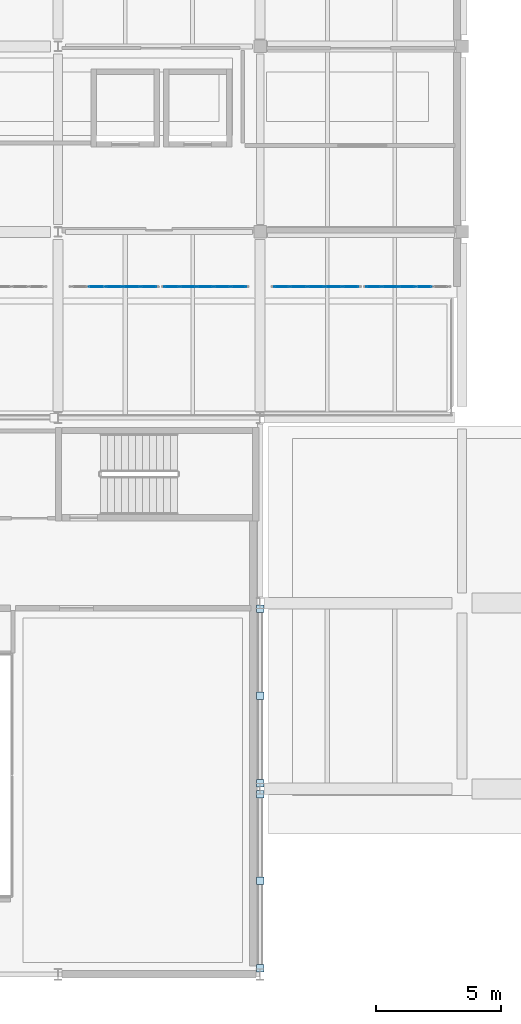
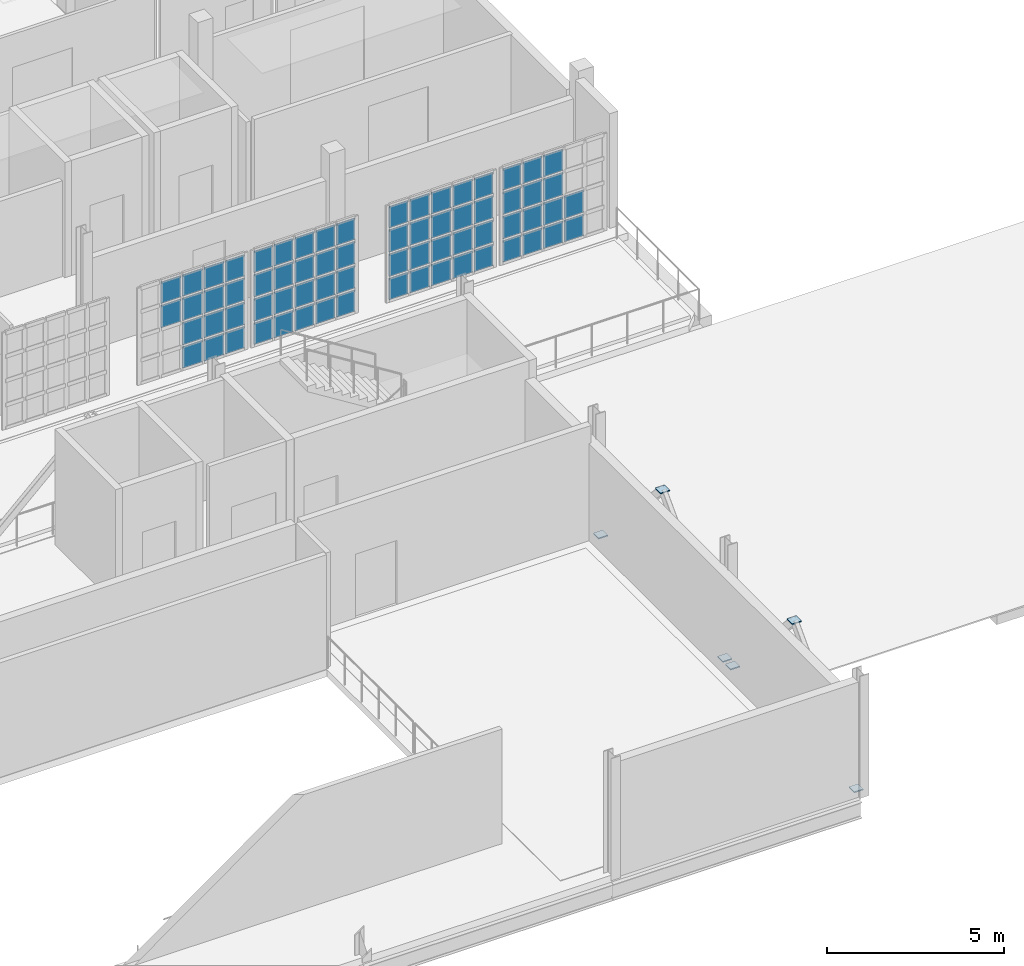
# One storey, part 17 of 25: 74 plates, 4 elements without a shape of their own.
"""IFC4 building model written with IfcOpenShell, lengths in metres."""

from ifc_helpers import new_model, si_unit, direction, frame, origin, origin_2d, place, context, subcontext, project, spatial, rectangle, extrude, material, layer, layer_set, type_object, element, aggregate, save


model = new_model("IFC4")

# Units and contexts
model_context = context("Model", 3, precision=1e-05, world=origin(), true_north=direction((0.0, 1.0)))
body_context = subcontext(model_context, "Body", "Model", "MODEL_VIEW")
ifc_project = project(units=[si_unit("LENGTHUNIT", "METRE"), si_unit("AREAUNIT", "SQUARE_METRE"), si_unit("VOLUMEUNIT", "CUBIC_METRE"), si_unit("PLANEANGLEUNIT", "RADIAN"), si_unit("MASSUNIT", "GRAM", prefix="KILO")], contexts=[model_context])

# Site, building, storey
site_placement = place(None, origin())
site = spatial("IfcSite", under=ifc_project, at=site_placement, CompositionType="ELEMENT")
building_placement = place(site_placement, origin())
building = spatial("IfcBuilding", under=site, at=building_placement, Name="Kaelora Sail Theatre", CompositionType="ELEMENT")
storey_placement = place(building_placement, frame((0.0, 0.0, 19.199951171875)))
storey = spatial("IfcBuildingStorey", under=building, at=storey_placement, Name="L04", CompositionType="ELEMENT", Elevation=19.199951171875)

# Curtain wall, plates
ifc_material_1 = material(Name="Anodised aluminium and solar-control low-E IGU", Category="aluminium")
curtain_wall_type = type_object("IfcCurtainWallType", Name="ARC-CW-CW-CLR", PredefinedType="NOTDEFINED", material=ifc_material_1)
curtain_wall_1_placement = place(storey_placement, origin())
curtain_wall_1 = element("IfcCurtainWall", 1, at=curtain_wall_1_placement, inside=storey, type_object=curtain_wall_type, Name="Glazed Foyer/Conservatory Curtain Wall NW2-S-L04-04", PredefinedType="NOTDEFINED")
ifc_material_2 = material(Name="Solar-control laminated low-E glass", Category="glass")
ifc_layer_1 = layer(ifc_material_2, 0.031982421875)
ifc_layer_set_1 = layer_set([ifc_layer_1], Name="Solar-control laminated low-E glass")
plate_type_1 = type_object("IfcPlateType", Name="ARC-CW-PNL", PredefinedType="CURTAIN_PANEL", material=ifc_layer_set_1)
plate_1_placement = place(storey_placement, frame((51.64990234375, 88.590087890625, 1.70849609375), z_axis=(0.0, 0.0, 1.0), x_axis=(1.0, 0.0, 0.0)))
plate_1 = element("IfcPlate", 2, at=plate_1_placement, type_object=plate_type_1, Name="CW-CLR panel 2.3", PredefinedType="CURTAIN_PANEL", context=body_context, shape_type="SweptSolid", body=[
    extrude(rectangle(XDim=0.639892578125, YDim=0.031982421875, at=origin_2d()), origin(), (0.0, 0.0, 1.0), 0.766845703125),
])
plate_2_placement = place(storey_placement, frame((51.64990234375, 88.590087890625, 2.54541015625), z_axis=(0.0, 0.0, 1.0), x_axis=(1.0, 0.0, 0.0)))
plate_2 = element("IfcPlate", 3, at=plate_2_placement, type_object=plate_type_1, Name="CW-CLR panel 2.4", PredefinedType="CURTAIN_PANEL", context=body_context, shape_type="SweptSolid", body=[
    extrude(rectangle(XDim=0.639892578125, YDim=0.031982421875, at=origin_2d()), origin(), (0.0, 0.0, 1.0), 0.731689453125),
])
plate_3_placement = place(storey_placement, frame((52.35009765625, 88.590087890625, 0.06982421875), z_axis=(0.0, 0.0, 1.0), x_axis=(1.0, 0.0, 0.0)))
plate_3 = element("IfcPlate", 4, at=plate_3_placement, type_object=plate_type_1, Name="CW-CLR panel 3.1", PredefinedType="CURTAIN_PANEL", context=body_context, shape_type="SweptSolid", body=[
    extrude(rectangle(XDim=0.639892578125, YDim=0.031982421875, at=origin_2d()), origin(), (0.0, 0.0, 1.0), 0.731689453125),
])
plate_4_placement = place(storey_placement, frame((52.35009765625, 88.590087890625, 0.87158203125), z_axis=(0.0, 0.0, 1.0), x_axis=(1.0, 0.0, 0.0)))
plate_4 = element("IfcPlate", 5, at=plate_4_placement, type_object=plate_type_1, Name="CW-CLR panel 3.2", PredefinedType="CURTAIN_PANEL", context=body_context, shape_type="SweptSolid", body=[
    extrude(rectangle(XDim=0.639892578125, YDim=0.031982421875, at=origin_2d()), origin(), (0.0, 0.0, 1.0), 0.766845703125),
])
plate_5_placement = place(storey_placement, frame((52.35009765625, 88.590087890625, 1.70849609375), z_axis=(0.0, 0.0, 1.0), x_axis=(1.0, 0.0, 0.0)))
plate_5 = element("IfcPlate", 6, at=plate_5_placement, type_object=plate_type_1, Name="CW-CLR panel 3.3", PredefinedType="CURTAIN_PANEL", context=body_context, shape_type="SweptSolid", body=[
    extrude(rectangle(XDim=0.639892578125, YDim=0.031982421875, at=origin_2d()), origin(), (0.0, 0.0, 1.0), 0.766845703125),
])
plate_6_placement = place(storey_placement, frame((52.35009765625, 88.590087890625, 2.54541015625), z_axis=(0.0, 0.0, 1.0), x_axis=(1.0, 0.0, 0.0)))
plate_6 = element("IfcPlate", 7, at=plate_6_placement, type_object=plate_type_1, Name="CW-CLR panel 3.4", PredefinedType="CURTAIN_PANEL", context=body_context, shape_type="SweptSolid", body=[
    extrude(rectangle(XDim=0.639892578125, YDim=0.031982421875, at=origin_2d()), origin(), (0.0, 0.0, 1.0), 0.731689453125),
])
plate_7_placement = place(storey_placement, frame((53.050048828125, 88.590087890625, 0.06982421875), z_axis=(0.0, 0.0, 1.0), x_axis=(1.0, 0.0, 0.0)))
plate_7 = element("IfcPlate", 8, at=plate_7_placement, type_object=plate_type_1, Name="CW-CLR panel 4.1", PredefinedType="CURTAIN_PANEL", context=body_context, shape_type="SweptSolid", body=[
    extrude(rectangle(XDim=0.639892578125, YDim=0.031982421875, at=origin_2d()), origin(), (0.0, 0.0, 1.0), 0.731689453125),
])
plate_8_placement = place(storey_placement, frame((53.050048828125, 88.590087890625, 0.87158203125), z_axis=(0.0, 0.0, 1.0), x_axis=(1.0, 0.0, 0.0)))
plate_8 = element("IfcPlate", 9, at=plate_8_placement, type_object=plate_type_1, Name="CW-CLR panel 4.2", PredefinedType="CURTAIN_PANEL", context=body_context, shape_type="SweptSolid", body=[
    extrude(rectangle(XDim=0.639892578125, YDim=0.031982421875, at=origin_2d()), origin(), (0.0, 0.0, 1.0), 0.766845703125),
])
plate_9_placement = place(storey_placement, frame((53.050048828125, 88.590087890625, 1.70849609375), z_axis=(0.0, 0.0, 1.0), x_axis=(1.0, 0.0, 0.0)))
plate_9 = element("IfcPlate", 10, at=plate_9_placement, type_object=plate_type_1, Name="CW-CLR panel 4.3", PredefinedType="CURTAIN_PANEL", context=body_context, shape_type="SweptSolid", body=[
    extrude(rectangle(XDim=0.639892578125, YDim=0.031982421875, at=origin_2d()), origin(), (0.0, 0.0, 1.0), 0.766845703125),
])
plate_10_placement = place(storey_placement, frame((53.050048828125, 88.590087890625, 2.54541015625), z_axis=(0.0, 0.0, 1.0), x_axis=(1.0, 0.0, 0.0)))
plate_10 = element("IfcPlate", 11, at=plate_10_placement, type_object=plate_type_1, Name="CW-CLR panel 4.4", PredefinedType="CURTAIN_PANEL", context=body_context, shape_type="SweptSolid", body=[
    extrude(rectangle(XDim=0.639892578125, YDim=0.031982421875, at=origin_2d()), origin(), (0.0, 0.0, 1.0), 0.731689453125),
])
plate_11_placement = place(storey_placement, frame((53.735107421875, 88.590087890625, 0.06982421875), z_axis=(0.0, 0.0, 1.0), x_axis=(1.0, 0.0, 0.0)))
plate_11 = element("IfcPlate", 12, at=plate_11_placement, type_object=plate_type_1, Name="CW-CLR panel 5.1", PredefinedType="CURTAIN_PANEL", context=body_context, shape_type="SweptSolid", body=[
    extrude(rectangle(XDim=0.610107421875, YDim=0.031982421875, at=origin_2d()), origin(), (0.0, 0.0, 1.0), 0.731689453125),
])
plate_12_placement = place(storey_placement, frame((53.735107421875, 88.590087890625, 0.87158203125), z_axis=(0.0, 0.0, 1.0), x_axis=(1.0, 0.0, 0.0)))
plate_12 = element("IfcPlate", 13, at=plate_12_placement, type_object=plate_type_1, Name="CW-CLR panel 5.2", PredefinedType="CURTAIN_PANEL", context=body_context, shape_type="SweptSolid", body=[
    extrude(rectangle(XDim=0.610107421875, YDim=0.031982421875, at=origin_2d()), origin(), (0.0, 0.0, 1.0), 0.766845703125),
])
plate_13_placement = place(storey_placement, frame((53.735107421875, 88.590087890625, 1.70849609375), z_axis=(0.0, 0.0, 1.0), x_axis=(1.0, 0.0, 0.0)))
plate_13 = element("IfcPlate", 14, at=plate_13_placement, type_object=plate_type_1, Name="CW-CLR panel 5.3", PredefinedType="CURTAIN_PANEL", context=body_context, shape_type="SweptSolid", body=[
    extrude(rectangle(XDim=0.610107421875, YDim=0.031982421875, at=origin_2d()), origin(), (0.0, 0.0, 1.0), 0.766845703125),
])
plate_14_placement = place(storey_placement, frame((53.735107421875, 88.590087890625, 2.54541015625), z_axis=(0.0, 0.0, 1.0), x_axis=(1.0, 0.0, 0.0)))
plate_14 = element("IfcPlate", 15, at=plate_14_placement, type_object=plate_type_1, Name="CW-CLR panel 5.4", PredefinedType="CURTAIN_PANEL", context=body_context, shape_type="SweptSolid", body=[
    extrude(rectangle(XDim=0.610107421875, YDim=0.031982421875, at=origin_2d()), origin(), (0.0, 0.0, 1.0), 0.731689453125),
])
aggregate(curtain_wall_1, [plate_1, plate_2, plate_3, plate_4, plate_5, plate_6, plate_7, plate_8, plate_9, plate_10, plate_11, plate_12, plate_13, plate_14])

curtain_wall_2_placement = place(storey_placement, origin())
curtain_wall_2 = element("IfcCurtainWall", 16, at=curtain_wall_2_placement, inside=storey, type_object=curtain_wall_type, Name="Glazed Foyer/Conservatory Curtain Wall NW2-S-L04-05", PredefinedType="NOTDEFINED")
plate_15_placement = place(storey_placement, frame((54.655029296875, 88.590087890625, 0.06982421875), z_axis=(0.0, 0.0, 1.0), x_axis=(1.0, 0.0, 0.0)))
plate_15 = element("IfcPlate", 17, at=plate_15_placement, type_object=plate_type_1, Name="CW-CLR panel 1.1", PredefinedType="CURTAIN_PANEL", context=body_context, shape_type="SweptSolid", body=[
    extrude(rectangle(XDim=0.590087890625, YDim=0.031982421875, at=origin_2d()), origin(), (0.0, 0.0, 1.0), 0.731689453125),
])
plate_16_placement = place(storey_placement, frame((54.655029296875, 88.590087890625, 0.87158203125), z_axis=(0.0, 0.0, 1.0), x_axis=(1.0, 0.0, 0.0)))
plate_16 = element("IfcPlate", 18, at=plate_16_placement, type_object=plate_type_1, Name="CW-CLR panel 1.2", PredefinedType="CURTAIN_PANEL", context=body_context, shape_type="SweptSolid", body=[
    extrude(rectangle(XDim=0.590087890625, YDim=0.031982421875, at=origin_2d()), origin(), (0.0, 0.0, 1.0), 0.766845703125),
])
plate_17_placement = place(storey_placement, frame((54.655029296875, 88.590087890625, 1.70849609375), z_axis=(0.0, 0.0, 1.0), x_axis=(1.0, 0.0, 0.0)))
plate_17 = element("IfcPlate", 19, at=plate_17_placement, type_object=plate_type_1, Name="CW-CLR panel 1.3", PredefinedType="CURTAIN_PANEL", context=body_context, shape_type="SweptSolid", body=[
    extrude(rectangle(XDim=0.590087890625, YDim=0.031982421875, at=origin_2d()), origin(), (0.0, 0.0, 1.0), 0.766845703125),
])
plate_18_placement = place(storey_placement, frame((54.655029296875, 88.590087890625, 2.54541015625), z_axis=(0.0, 0.0, 1.0), x_axis=(1.0, 0.0, 0.0)))
plate_18 = element("IfcPlate", 20, at=plate_18_placement, type_object=plate_type_1, Name="CW-CLR panel 1.4", PredefinedType="CURTAIN_PANEL", context=body_context, shape_type="SweptSolid", body=[
    extrude(rectangle(XDim=0.590087890625, YDim=0.031982421875, at=origin_2d()), origin(), (0.0, 0.0, 1.0), 0.731689453125),
])
plate_19_placement = place(storey_placement, frame((55.320068359375, 88.590087890625, 0.06982421875), z_axis=(0.0, 0.0, 1.0), x_axis=(1.0, 0.0, 0.0)))
plate_19 = element("IfcPlate", 21, at=plate_19_placement, type_object=plate_type_1, Name="CW-CLR panel 2.1", PredefinedType="CURTAIN_PANEL", context=body_context, shape_type="SweptSolid", body=[
    extrude(rectangle(XDim=0.6201171875, YDim=0.031982421875, at=origin_2d()), origin(), (0.0, 0.0, 1.0), 0.731689453125),
])
plate_20_placement = place(storey_placement, frame((55.320068359375, 88.590087890625, 0.87158203125), z_axis=(0.0, 0.0, 1.0), x_axis=(1.0, 0.0, 0.0)))
plate_20 = element("IfcPlate", 22, at=plate_20_placement, type_object=plate_type_1, Name="CW-CLR panel 2.2", PredefinedType="CURTAIN_PANEL", context=body_context, shape_type="SweptSolid", body=[
    extrude(rectangle(XDim=0.6201171875, YDim=0.031982421875, at=origin_2d()), origin(), (0.0, 0.0, 1.0), 0.766845703125),
])
plate_21_placement = place(storey_placement, frame((55.320068359375, 88.590087890625, 1.70849609375), z_axis=(0.0, 0.0, 1.0), x_axis=(1.0, 0.0, 0.0)))
plate_21 = element("IfcPlate", 23, at=plate_21_placement, type_object=plate_type_1, Name="CW-CLR panel 2.3", PredefinedType="CURTAIN_PANEL", context=body_context, shape_type="SweptSolid", body=[
    extrude(rectangle(XDim=0.6201171875, YDim=0.031982421875, at=origin_2d()), origin(), (0.0, 0.0, 1.0), 0.766845703125),
])
plate_22_placement = place(storey_placement, frame((55.320068359375, 88.590087890625, 2.54541015625), z_axis=(0.0, 0.0, 1.0), x_axis=(1.0, 0.0, 0.0)))
plate_22 = element("IfcPlate", 24, at=plate_22_placement, type_object=plate_type_1, Name="CW-CLR panel 2.4", PredefinedType="CURTAIN_PANEL", context=body_context, shape_type="SweptSolid", body=[
    extrude(rectangle(XDim=0.6201171875, YDim=0.031982421875, at=origin_2d()), origin(), (0.0, 0.0, 1.0), 0.731689453125),
])
plate_23_placement = place(storey_placement, frame((56.0, 88.590087890625, 0.06982421875), z_axis=(0.0, 0.0, 1.0), x_axis=(1.0, 0.0, 0.0)))
plate_23 = element("IfcPlate", 25, at=plate_23_placement, type_object=plate_type_1, Name="CW-CLR panel 3.1", PredefinedType="CURTAIN_PANEL", context=body_context, shape_type="SweptSolid", body=[
    extrude(rectangle(XDim=0.6201171875, YDim=0.031982421875, at=origin_2d()), origin(), (0.0, 0.0, 1.0), 0.731689453125),
])
plate_24_placement = place(storey_placement, frame((56.0, 88.590087890625, 0.87158203125), z_axis=(0.0, 0.0, 1.0), x_axis=(1.0, 0.0, 0.0)))
plate_24 = element("IfcPlate", 26, at=plate_24_placement, type_object=plate_type_1, Name="CW-CLR panel 3.2", PredefinedType="CURTAIN_PANEL", context=body_context, shape_type="SweptSolid", body=[
    extrude(rectangle(XDim=0.6201171875, YDim=0.031982421875, at=origin_2d()), origin(), (0.0, 0.0, 1.0), 0.766845703125),
])
plate_25_placement = place(storey_placement, frame((56.0, 88.590087890625, 1.70849609375), z_axis=(0.0, 0.0, 1.0), x_axis=(1.0, 0.0, 0.0)))
plate_25 = element("IfcPlate", 27, at=plate_25_placement, type_object=plate_type_1, Name="CW-CLR panel 3.3", PredefinedType="CURTAIN_PANEL", context=body_context, shape_type="SweptSolid", body=[
    extrude(rectangle(XDim=0.6201171875, YDim=0.031982421875, at=origin_2d()), origin(), (0.0, 0.0, 1.0), 0.766845703125),
])
plate_26_placement = place(storey_placement, frame((56.0, 88.590087890625, 2.54541015625), z_axis=(0.0, 0.0, 1.0), x_axis=(1.0, 0.0, 0.0)))
plate_26 = element("IfcPlate", 28, at=plate_26_placement, type_object=plate_type_1, Name="CW-CLR panel 3.4", PredefinedType="CURTAIN_PANEL", context=body_context, shape_type="SweptSolid", body=[
    extrude(rectangle(XDim=0.6201171875, YDim=0.031982421875, at=origin_2d()), origin(), (0.0, 0.0, 1.0), 0.731689453125),
])
plate_27_placement = place(storey_placement, frame((56.679931640625, 88.590087890625, 0.06982421875), z_axis=(0.0, 0.0, 1.0), x_axis=(1.0, 0.0, 0.0)))
plate_27 = element("IfcPlate", 29, at=plate_27_placement, type_object=plate_type_1, Name="CW-CLR panel 4.1", PredefinedType="CURTAIN_PANEL", context=body_context, shape_type="SweptSolid", body=[
    extrude(rectangle(XDim=0.6201171875, YDim=0.031982421875, at=origin_2d()), origin(), (0.0, 0.0, 1.0), 0.731689453125),
])
plate_28_placement = place(storey_placement, frame((56.679931640625, 88.590087890625, 0.87158203125), z_axis=(0.0, 0.0, 1.0), x_axis=(1.0, 0.0, 0.0)))
plate_28 = element("IfcPlate", 30, at=plate_28_placement, type_object=plate_type_1, Name="CW-CLR panel 4.2", PredefinedType="CURTAIN_PANEL", context=body_context, shape_type="SweptSolid", body=[
    extrude(rectangle(XDim=0.6201171875, YDim=0.031982421875, at=origin_2d()), origin(), (0.0, 0.0, 1.0), 0.766845703125),
])
plate_29_placement = place(storey_placement, frame((56.679931640625, 88.590087890625, 1.70849609375), z_axis=(0.0, 0.0, 1.0), x_axis=(1.0, 0.0, 0.0)))
plate_29 = element("IfcPlate", 31, at=plate_29_placement, type_object=plate_type_1, Name="CW-CLR panel 4.3", PredefinedType="CURTAIN_PANEL", context=body_context, shape_type="SweptSolid", body=[
    extrude(rectangle(XDim=0.6201171875, YDim=0.031982421875, at=origin_2d()), origin(), (0.0, 0.0, 1.0), 0.766845703125),
])
plate_30_placement = place(storey_placement, frame((56.679931640625, 88.590087890625, 2.54541015625), z_axis=(0.0, 0.0, 1.0), x_axis=(1.0, 0.0, 0.0)))
plate_30 = element("IfcPlate", 32, at=plate_30_placement, type_object=plate_type_1, Name="CW-CLR panel 4.4", PredefinedType="CURTAIN_PANEL", context=body_context, shape_type="SweptSolid", body=[
    extrude(rectangle(XDim=0.6201171875, YDim=0.031982421875, at=origin_2d()), origin(), (0.0, 0.0, 1.0), 0.731689453125),
])
plate_31_placement = place(storey_placement, frame((57.344970703125, 88.590087890625, 0.06982421875), z_axis=(0.0, 0.0, 1.0), x_axis=(1.0, 0.0, 0.0)))
plate_31 = element("IfcPlate", 33, at=plate_31_placement, type_object=plate_type_1, Name="CW-CLR panel 5.1", PredefinedType="CURTAIN_PANEL", context=body_context, shape_type="SweptSolid", body=[
    extrude(rectangle(XDim=0.590087890625, YDim=0.031982421875, at=origin_2d()), origin(), (0.0, 0.0, 1.0), 0.731689453125),
])
plate_32_placement = place(storey_placement, frame((57.344970703125, 88.590087890625, 0.87158203125), z_axis=(0.0, 0.0, 1.0), x_axis=(1.0, 0.0, 0.0)))
plate_32 = element("IfcPlate", 34, at=plate_32_placement, type_object=plate_type_1, Name="CW-CLR panel 5.2", PredefinedType="CURTAIN_PANEL", context=body_context, shape_type="SweptSolid", body=[
    extrude(rectangle(XDim=0.590087890625, YDim=0.031982421875, at=origin_2d()), origin(), (0.0, 0.0, 1.0), 0.766845703125),
])
plate_33_placement = place(storey_placement, frame((57.344970703125, 88.590087890625, 1.70849609375), z_axis=(0.0, 0.0, 1.0), x_axis=(1.0, 0.0, 0.0)))
plate_33 = element("IfcPlate", 35, at=plate_33_placement, type_object=plate_type_1, Name="CW-CLR panel 5.3", PredefinedType="CURTAIN_PANEL", context=body_context, shape_type="SweptSolid", body=[
    extrude(rectangle(XDim=0.590087890625, YDim=0.031982421875, at=origin_2d()), origin(), (0.0, 0.0, 1.0), 0.766845703125),
])
plate_34_placement = place(storey_placement, frame((57.344970703125, 88.590087890625, 2.54541015625), z_axis=(0.0, 0.0, 1.0), x_axis=(1.0, 0.0, 0.0)))
plate_34 = element("IfcPlate", 36, at=plate_34_placement, type_object=plate_type_1, Name="CW-CLR panel 5.4", PredefinedType="CURTAIN_PANEL", context=body_context, shape_type="SweptSolid", body=[
    extrude(rectangle(XDim=0.590087890625, YDim=0.031982421875, at=origin_2d()), origin(), (0.0, 0.0, 1.0), 0.731689453125),
])
aggregate(curtain_wall_2, [plate_15, plate_16, plate_17, plate_18, plate_19, plate_20, plate_21, plate_22, plate_23, plate_24, plate_25, plate_26, plate_27, plate_28, plate_29, plate_30, plate_31, plate_32, plate_33, plate_34])

curtain_wall_3_placement = place(storey_placement, origin())
curtain_wall_3 = element("IfcCurtainWall", 37, at=curtain_wall_3_placement, inside=storey, type_object=curtain_wall_type, Name="Glazed Foyer/Conservatory Curtain Wall NW2-S-L04-06", PredefinedType="NOTDEFINED")
plate_35_placement = place(storey_placement, frame((59.06494140625, 88.590087890625, 0.06982421875), z_axis=(0.0, 0.0, 1.0), x_axis=(1.0, 0.0, 0.0)))
plate_35 = element("IfcPlate", 38, at=plate_35_placement, type_object=plate_type_1, Name="CW-CLR panel 1.1", PredefinedType="CURTAIN_PANEL", context=body_context, shape_type="SweptSolid", body=[
    extrude(rectangle(XDim=0.610107421875, YDim=0.031982421875, at=origin_2d()), origin(), (0.0, 0.0, 1.0), 0.731689453125),
])
plate_36_placement = place(storey_placement, frame((59.06494140625, 88.590087890625, 0.87158203125), z_axis=(0.0, 0.0, 1.0), x_axis=(1.0, 0.0, 0.0)))
plate_36 = element("IfcPlate", 39, at=plate_36_placement, type_object=plate_type_1, Name="CW-CLR panel 1.2", PredefinedType="CURTAIN_PANEL", context=body_context, shape_type="SweptSolid", body=[
    extrude(rectangle(XDim=0.610107421875, YDim=0.031982421875, at=origin_2d()), origin(), (0.0, 0.0, 1.0), 0.766845703125),
])
plate_37_placement = place(storey_placement, frame((59.06494140625, 88.590087890625, 1.70849609375), z_axis=(0.0, 0.0, 1.0), x_axis=(1.0, 0.0, 0.0)))
plate_37 = element("IfcPlate", 40, at=plate_37_placement, type_object=plate_type_1, Name="CW-CLR panel 1.3", PredefinedType="CURTAIN_PANEL", context=body_context, shape_type="SweptSolid", body=[
    extrude(rectangle(XDim=0.610107421875, YDim=0.031982421875, at=origin_2d()), origin(), (0.0, 0.0, 1.0), 0.766845703125),
])
plate_38_placement = place(storey_placement, frame((59.06494140625, 88.590087890625, 2.54541015625), z_axis=(0.0, 0.0, 1.0), x_axis=(1.0, 0.0, 0.0)))
plate_38 = element("IfcPlate", 41, at=plate_38_placement, type_object=plate_type_1, Name="CW-CLR panel 1.4", PredefinedType="CURTAIN_PANEL", context=body_context, shape_type="SweptSolid", body=[
    extrude(rectangle(XDim=0.610107421875, YDim=0.031982421875, at=origin_2d()), origin(), (0.0, 0.0, 1.0), 0.731689453125),
])
plate_39_placement = place(storey_placement, frame((59.75, 88.590087890625, 0.06982421875), z_axis=(0.0, 0.0, 1.0), x_axis=(1.0, 0.0, 0.0)))
plate_39 = element("IfcPlate", 42, at=plate_39_placement, type_object=plate_type_1, Name="CW-CLR panel 2.1", PredefinedType="CURTAIN_PANEL", context=body_context, shape_type="SweptSolid", body=[
    extrude(rectangle(XDim=0.639892578125, YDim=0.031982421875, at=origin_2d()), origin(), (0.0, 0.0, 1.0), 0.731689453125),
])
plate_40_placement = place(storey_placement, frame((59.75, 88.590087890625, 0.87158203125), z_axis=(0.0, 0.0, 1.0), x_axis=(1.0, 0.0, 0.0)))
plate_40 = element("IfcPlate", 43, at=plate_40_placement, type_object=plate_type_1, Name="CW-CLR panel 2.2", PredefinedType="CURTAIN_PANEL", context=body_context, shape_type="SweptSolid", body=[
    extrude(rectangle(XDim=0.639892578125, YDim=0.031982421875, at=origin_2d()), origin(), (0.0, 0.0, 1.0), 0.766845703125),
])
plate_41_placement = place(storey_placement, frame((59.75, 88.590087890625, 1.70849609375), z_axis=(0.0, 0.0, 1.0), x_axis=(1.0, 0.0, 0.0)))
plate_41 = element("IfcPlate", 44, at=plate_41_placement, type_object=plate_type_1, Name="CW-CLR panel 2.3", PredefinedType="CURTAIN_PANEL", context=body_context, shape_type="SweptSolid", body=[
    extrude(rectangle(XDim=0.639892578125, YDim=0.031982421875, at=origin_2d()), origin(), (0.0, 0.0, 1.0), 0.766845703125),
])
plate_42_placement = place(storey_placement, frame((59.75, 88.590087890625, 2.54541015625), z_axis=(0.0, 0.0, 1.0), x_axis=(1.0, 0.0, 0.0)))
plate_42 = element("IfcPlate", 45, at=plate_42_placement, type_object=plate_type_1, Name="CW-CLR panel 2.4", PredefinedType="CURTAIN_PANEL", context=body_context, shape_type="SweptSolid", body=[
    extrude(rectangle(XDim=0.639892578125, YDim=0.031982421875, at=origin_2d()), origin(), (0.0, 0.0, 1.0), 0.731689453125),
])
plate_43_placement = place(storey_placement, frame((60.449951171875, 88.590087890625, 0.06982421875), z_axis=(0.0, 0.0, 1.0), x_axis=(1.0, 0.0, 0.0)))
plate_43 = element("IfcPlate", 46, at=plate_43_placement, type_object=plate_type_1, Name="CW-CLR panel 3.1", PredefinedType="CURTAIN_PANEL", context=body_context, shape_type="SweptSolid", body=[
    extrude(rectangle(XDim=0.639892578125, YDim=0.031982421875, at=origin_2d()), origin(), (0.0, 0.0, 1.0), 0.731689453125),
])
plate_44_placement = place(storey_placement, frame((60.449951171875, 88.590087890625, 0.87158203125), z_axis=(0.0, 0.0, 1.0), x_axis=(1.0, 0.0, 0.0)))
plate_44 = element("IfcPlate", 47, at=plate_44_placement, type_object=plate_type_1, Name="CW-CLR panel 3.2", PredefinedType="CURTAIN_PANEL", context=body_context, shape_type="SweptSolid", body=[
    extrude(rectangle(XDim=0.639892578125, YDim=0.031982421875, at=origin_2d()), origin(), (0.0, 0.0, 1.0), 0.766845703125),
])
plate_45_placement = place(storey_placement, frame((60.449951171875, 88.590087890625, 1.70849609375), z_axis=(0.0, 0.0, 1.0), x_axis=(1.0, 0.0, 0.0)))
plate_45 = element("IfcPlate", 48, at=plate_45_placement, type_object=plate_type_1, Name="CW-CLR panel 3.3", PredefinedType="CURTAIN_PANEL", context=body_context, shape_type="SweptSolid", body=[
    extrude(rectangle(XDim=0.639892578125, YDim=0.031982421875, at=origin_2d()), origin(), (0.0, 0.0, 1.0), 0.766845703125),
])
plate_46_placement = place(storey_placement, frame((60.449951171875, 88.590087890625, 2.54541015625), z_axis=(0.0, 0.0, 1.0), x_axis=(1.0, 0.0, 0.0)))
plate_46 = element("IfcPlate", 49, at=plate_46_placement, type_object=plate_type_1, Name="CW-CLR panel 3.4", PredefinedType="CURTAIN_PANEL", context=body_context, shape_type="SweptSolid", body=[
    extrude(rectangle(XDim=0.639892578125, YDim=0.031982421875, at=origin_2d()), origin(), (0.0, 0.0, 1.0), 0.731689453125),
])
plate_47_placement = place(storey_placement, frame((61.14990234375, 88.590087890625, 0.06982421875), z_axis=(0.0, 0.0, 1.0), x_axis=(1.0, 0.0, 0.0)))
plate_47 = element("IfcPlate", 50, at=plate_47_placement, type_object=plate_type_1, Name="CW-CLR panel 4.1", PredefinedType="CURTAIN_PANEL", context=body_context, shape_type="SweptSolid", body=[
    extrude(rectangle(XDim=0.639892578125, YDim=0.031982421875, at=origin_2d()), origin(), (0.0, 0.0, 1.0), 0.731689453125),
])
plate_48_placement = place(storey_placement, frame((61.14990234375, 88.590087890625, 0.87158203125), z_axis=(0.0, 0.0, 1.0), x_axis=(1.0, 0.0, 0.0)))
plate_48 = element("IfcPlate", 51, at=plate_48_placement, type_object=plate_type_1, Name="CW-CLR panel 4.2", PredefinedType="CURTAIN_PANEL", context=body_context, shape_type="SweptSolid", body=[
    extrude(rectangle(XDim=0.639892578125, YDim=0.031982421875, at=origin_2d()), origin(), (0.0, 0.0, 1.0), 0.766845703125),
])
plate_49_placement = place(storey_placement, frame((61.14990234375, 88.590087890625, 1.70849609375), z_axis=(0.0, 0.0, 1.0), x_axis=(1.0, 0.0, 0.0)))
plate_49 = element("IfcPlate", 52, at=plate_49_placement, type_object=plate_type_1, Name="CW-CLR panel 4.3", PredefinedType="CURTAIN_PANEL", context=body_context, shape_type="SweptSolid", body=[
    extrude(rectangle(XDim=0.639892578125, YDim=0.031982421875, at=origin_2d()), origin(), (0.0, 0.0, 1.0), 0.766845703125),
])
plate_50_placement = place(storey_placement, frame((61.14990234375, 88.590087890625, 2.54541015625), z_axis=(0.0, 0.0, 1.0), x_axis=(1.0, 0.0, 0.0)))
plate_50 = element("IfcPlate", 53, at=plate_50_placement, type_object=plate_type_1, Name="CW-CLR panel 4.4", PredefinedType="CURTAIN_PANEL", context=body_context, shape_type="SweptSolid", body=[
    extrude(rectangle(XDim=0.639892578125, YDim=0.031982421875, at=origin_2d()), origin(), (0.0, 0.0, 1.0), 0.731689453125),
])
plate_51_placement = place(storey_placement, frame((61.8349609375, 88.590087890625, 0.06982421875), z_axis=(0.0, 0.0, 1.0), x_axis=(1.0, 0.0, 0.0)))
plate_51 = element("IfcPlate", 54, at=plate_51_placement, type_object=plate_type_1, Name="CW-CLR panel 5.1", PredefinedType="CURTAIN_PANEL", context=body_context, shape_type="SweptSolid", body=[
    extrude(rectangle(XDim=0.610107421875, YDim=0.031982421875, at=origin_2d()), origin(), (0.0, 0.0, 1.0), 0.731689453125),
])
plate_52_placement = place(storey_placement, frame((61.8349609375, 88.590087890625, 0.87158203125), z_axis=(0.0, 0.0, 1.0), x_axis=(1.0, 0.0, 0.0)))
plate_52 = element("IfcPlate", 55, at=plate_52_placement, type_object=plate_type_1, Name="CW-CLR panel 5.2", PredefinedType="CURTAIN_PANEL", context=body_context, shape_type="SweptSolid", body=[
    extrude(rectangle(XDim=0.610107421875, YDim=0.031982421875, at=origin_2d()), origin(), (0.0, 0.0, 1.0), 0.766845703125),
])
plate_53_placement = place(storey_placement, frame((61.8349609375, 88.590087890625, 1.70849609375), z_axis=(0.0, 0.0, 1.0), x_axis=(1.0, 0.0, 0.0)))
plate_53 = element("IfcPlate", 56, at=plate_53_placement, type_object=plate_type_1, Name="CW-CLR panel 5.3", PredefinedType="CURTAIN_PANEL", context=body_context, shape_type="SweptSolid", body=[
    extrude(rectangle(XDim=0.610107421875, YDim=0.031982421875, at=origin_2d()), origin(), (0.0, 0.0, 1.0), 0.766845703125),
])
plate_54_placement = place(storey_placement, frame((61.8349609375, 88.590087890625, 2.54541015625), z_axis=(0.0, 0.0, 1.0), x_axis=(1.0, 0.0, 0.0)))
plate_54 = element("IfcPlate", 57, at=plate_54_placement, type_object=plate_type_1, Name="CW-CLR panel 5.4", PredefinedType="CURTAIN_PANEL", context=body_context, shape_type="SweptSolid", body=[
    extrude(rectangle(XDim=0.610107421875, YDim=0.031982421875, at=origin_2d()), origin(), (0.0, 0.0, 1.0), 0.731689453125),
])
aggregate(curtain_wall_3, [plate_35, plate_36, plate_37, plate_38, plate_39, plate_40, plate_41, plate_42, plate_43, plate_44, plate_45, plate_46, plate_47, plate_48, plate_49, plate_50, plate_51, plate_52, plate_53, plate_54])

curtain_wall_4_placement = place(storey_placement, origin())
curtain_wall_4 = element("IfcCurtainWall", 58, at=curtain_wall_4_placement, inside=storey, type_object=curtain_wall_type, Name="Glazed Foyer/Conservatory Curtain Wall NW2-S-L04-07", PredefinedType="NOTDEFINED")
plate_55_placement = place(storey_placement, frame((62.7548828125, 88.590087890625, 0.06982421875), z_axis=(0.0, 0.0, 1.0), x_axis=(1.0, 0.0, 0.0)))
plate_55 = element("IfcPlate", 59, at=plate_55_placement, type_object=plate_type_1, Name="CW-CLR panel 1.1", PredefinedType="CURTAIN_PANEL", context=body_context, shape_type="SweptSolid", body=[
    extrude(rectangle(XDim=0.590087890625, YDim=0.031982421875, at=origin_2d()), origin(), (0.0, 0.0, 1.0), 0.731689453125),
])
plate_56_placement = place(storey_placement, frame((62.7548828125, 88.590087890625, 0.87158203125), z_axis=(0.0, 0.0, 1.0), x_axis=(1.0, 0.0, 0.0)))
plate_56 = element("IfcPlate", 60, at=plate_56_placement, type_object=plate_type_1, Name="CW-CLR panel 1.2", PredefinedType="CURTAIN_PANEL", context=body_context, shape_type="SweptSolid", body=[
    extrude(rectangle(XDim=0.590087890625, YDim=0.031982421875, at=origin_2d()), origin(), (0.0, 0.0, 1.0), 0.766845703125),
])
plate_57_placement = place(storey_placement, frame((62.7548828125, 88.590087890625, 1.70849609375), z_axis=(0.0, 0.0, 1.0), x_axis=(1.0, 0.0, 0.0)))
plate_57 = element("IfcPlate", 61, at=plate_57_placement, type_object=plate_type_1, Name="CW-CLR panel 1.3", PredefinedType="CURTAIN_PANEL", context=body_context, shape_type="SweptSolid", body=[
    extrude(rectangle(XDim=0.590087890625, YDim=0.031982421875, at=origin_2d()), origin(), (0.0, 0.0, 1.0), 0.766845703125),
])
plate_58_placement = place(storey_placement, frame((62.7548828125, 88.590087890625, 2.54541015625), z_axis=(0.0, 0.0, 1.0), x_axis=(1.0, 0.0, 0.0)))
plate_58 = element("IfcPlate", 62, at=plate_58_placement, type_object=plate_type_1, Name="CW-CLR panel 1.4", PredefinedType="CURTAIN_PANEL", context=body_context, shape_type="SweptSolid", body=[
    extrude(rectangle(XDim=0.590087890625, YDim=0.031982421875, at=origin_2d()), origin(), (0.0, 0.0, 1.0), 0.731689453125),
])
plate_59_placement = place(storey_placement, frame((63.419921875, 88.590087890625, 0.06982421875), z_axis=(0.0, 0.0, 1.0), x_axis=(1.0, 0.0, 0.0)))
plate_59 = element("IfcPlate", 63, at=plate_59_placement, type_object=plate_type_1, Name="CW-CLR panel 2.1", PredefinedType="CURTAIN_PANEL", context=body_context, shape_type="SweptSolid", body=[
    extrude(rectangle(XDim=0.6201171875, YDim=0.031982421875, at=origin_2d()), origin(), (0.0, 0.0, 1.0), 0.731689453125),
])
plate_60_placement = place(storey_placement, frame((63.419921875, 88.590087890625, 0.87158203125), z_axis=(0.0, 0.0, 1.0), x_axis=(1.0, 0.0, 0.0)))
plate_60 = element("IfcPlate", 64, at=plate_60_placement, type_object=plate_type_1, Name="CW-CLR panel 2.2", PredefinedType="CURTAIN_PANEL", context=body_context, shape_type="SweptSolid", body=[
    extrude(rectangle(XDim=0.6201171875, YDim=0.031982421875, at=origin_2d()), origin(), (0.0, 0.0, 1.0), 0.766845703125),
])
plate_61_placement = place(storey_placement, frame((63.419921875, 88.590087890625, 1.70849609375), z_axis=(0.0, 0.0, 1.0), x_axis=(1.0, 0.0, 0.0)))
plate_61 = element("IfcPlate", 65, at=plate_61_placement, type_object=plate_type_1, Name="CW-CLR panel 2.3", PredefinedType="CURTAIN_PANEL", context=body_context, shape_type="SweptSolid", body=[
    extrude(rectangle(XDim=0.6201171875, YDim=0.031982421875, at=origin_2d()), origin(), (0.0, 0.0, 1.0), 0.766845703125),
])
plate_62_placement = place(storey_placement, frame((63.419921875, 88.590087890625, 2.54541015625), z_axis=(0.0, 0.0, 1.0), x_axis=(1.0, 0.0, 0.0)))
plate_62 = element("IfcPlate", 66, at=plate_62_placement, type_object=plate_type_1, Name="CW-CLR panel 2.4", PredefinedType="CURTAIN_PANEL", context=body_context, shape_type="SweptSolid", body=[
    extrude(rectangle(XDim=0.6201171875, YDim=0.031982421875, at=origin_2d()), origin(), (0.0, 0.0, 1.0), 0.731689453125),
])
plate_63_placement = place(storey_placement, frame((64.10009765625, 88.590087890625, 0.06982421875), z_axis=(0.0, 0.0, 1.0), x_axis=(1.0, 0.0, 0.0)))
plate_63 = element("IfcPlate", 67, at=plate_63_placement, type_object=plate_type_1, Name="CW-CLR panel 3.1", PredefinedType="CURTAIN_PANEL", context=body_context, shape_type="SweptSolid", body=[
    extrude(rectangle(XDim=0.6201171875, YDim=0.031982421875, at=origin_2d()), origin(), (0.0, 0.0, 1.0), 0.731689453125),
])
plate_64_placement = place(storey_placement, frame((64.10009765625, 88.590087890625, 0.87158203125), z_axis=(0.0, 0.0, 1.0), x_axis=(1.0, 0.0, 0.0)))
plate_64 = element("IfcPlate", 68, at=plate_64_placement, type_object=plate_type_1, Name="CW-CLR panel 3.2", PredefinedType="CURTAIN_PANEL", context=body_context, shape_type="SweptSolid", body=[
    extrude(rectangle(XDim=0.6201171875, YDim=0.031982421875, at=origin_2d()), origin(), (0.0, 0.0, 1.0), 0.766845703125),
])
plate_65_placement = place(storey_placement, frame((64.10009765625, 88.590087890625, 1.70849609375), z_axis=(0.0, 0.0, 1.0), x_axis=(1.0, 0.0, 0.0)))
plate_65 = element("IfcPlate", 69, at=plate_65_placement, type_object=plate_type_1, Name="CW-CLR panel 3.3", PredefinedType="CURTAIN_PANEL", context=body_context, shape_type="SweptSolid", body=[
    extrude(rectangle(XDim=0.6201171875, YDim=0.031982421875, at=origin_2d()), origin(), (0.0, 0.0, 1.0), 0.766845703125),
])
plate_66_placement = place(storey_placement, frame((64.10009765625, 88.590087890625, 2.54541015625), z_axis=(0.0, 0.0, 1.0), x_axis=(1.0, 0.0, 0.0)))
plate_66 = element("IfcPlate", 70, at=plate_66_placement, type_object=plate_type_1, Name="CW-CLR panel 3.4", PredefinedType="CURTAIN_PANEL", context=body_context, shape_type="SweptSolid", body=[
    extrude(rectangle(XDim=0.6201171875, YDim=0.031982421875, at=origin_2d()), origin(), (0.0, 0.0, 1.0), 0.731689453125),
])
plate_67_placement = place(storey_placement, frame((64.780029296875, 88.590087890625, 0.06982421875), z_axis=(0.0, 0.0, 1.0), x_axis=(1.0, 0.0, 0.0)))
plate_67 = element("IfcPlate", 71, at=plate_67_placement, type_object=plate_type_1, Name="CW-CLR panel 4.1", PredefinedType="CURTAIN_PANEL", context=body_context, shape_type="SweptSolid", body=[
    extrude(rectangle(XDim=0.6201171875, YDim=0.031982421875, at=origin_2d()), origin(), (0.0, 0.0, 1.0), 0.731689453125),
])
plate_68_placement = place(storey_placement, frame((64.780029296875, 88.590087890625, 0.87158203125), z_axis=(0.0, 0.0, 1.0), x_axis=(1.0, 0.0, 0.0)))
plate_68 = element("IfcPlate", 72, at=plate_68_placement, type_object=plate_type_1, Name="CW-CLR panel 4.2", PredefinedType="CURTAIN_PANEL", context=body_context, shape_type="SweptSolid", body=[
    extrude(rectangle(XDim=0.6201171875, YDim=0.031982421875, at=origin_2d()), origin(), (0.0, 0.0, 1.0), 0.766845703125),
])
aggregate(curtain_wall_4, [plate_55, plate_56, plate_57, plate_58, plate_59, plate_60, plate_61, plate_62, plate_63, plate_64, plate_65, plate_66, plate_67, plate_68])

# Plates
ifc_material_3 = material(Name="Steel S355", Category="steel")
ifc_layer_2 = layer(ifc_material_3, 0.035888671875)
ifc_layer_set_2 = layer_set([ifc_layer_2], Name="Steel S355")
plate_type_2 = type_object("IfcPlateType", Name="STR-PL-EP-36", PredefinedType="SHEET", material=ifc_layer_set_2)
for number, where, z_axis, x_axis, name in (
    (73, (58.199951171875, 61.268798828125, -0.009765625), (0.0, 0.0, 1.0), (1.0, 0.0, 0.0), "Fly Tower chevron brace L04 ES1 end cap plate A"),
    (74, (58.199951171875, 64.76611328125, 3.65869140625), (0.0, 0.0, 1.0), (1.0, 0.0, 0.0), "Fly Tower chevron brace L04 ES1 end cap plate B"),
    (75, (58.199951171875, 68.2412109375, -0.009765625), (0.0, 0.0, 1.0), (1.0, 0.0, 0.0), "Fly Tower chevron brace L04 ES2 end cap plate A"),
    (76, (58.199951171875, 68.6787109375, -0.009765625), (0.0, 0.0, 1.0), (1.0, 0.0, 0.0), "Fly Tower chevron brace L04 EM1 end cap plate A"),
    (77, (58.199951171875, 72.191162109375, 3.65869140625), (0.0, 0.0, 1.0), (1.0, 0.0, 0.0), "Fly Tower chevron brace L04 EM1 end cap plate B"),
    (78, (58.199951171875, 75.68115234375, -0.009765625), (0.0, 0.0, 1.0), (1.0, 0.0, 0.0), "Fly Tower chevron brace L04 EM2 end cap plate A"),
):
    element("IfcPlate", number, at=place(storey_placement, frame(where, z_axis=z_axis, x_axis=x_axis)), inside=storey, type_object=plate_type_2, Name=name, PredefinedType="SHEET", context=body_context, shape_type="SweptSolid", body=[
        extrude(rectangle(XDim=0.300048828125, YDim=0.300048828125, at=origin_2d()), origin(), (0.0, 0.0, 1.0), 0.035888671875),
    ])

save(model, "model.ifc")
